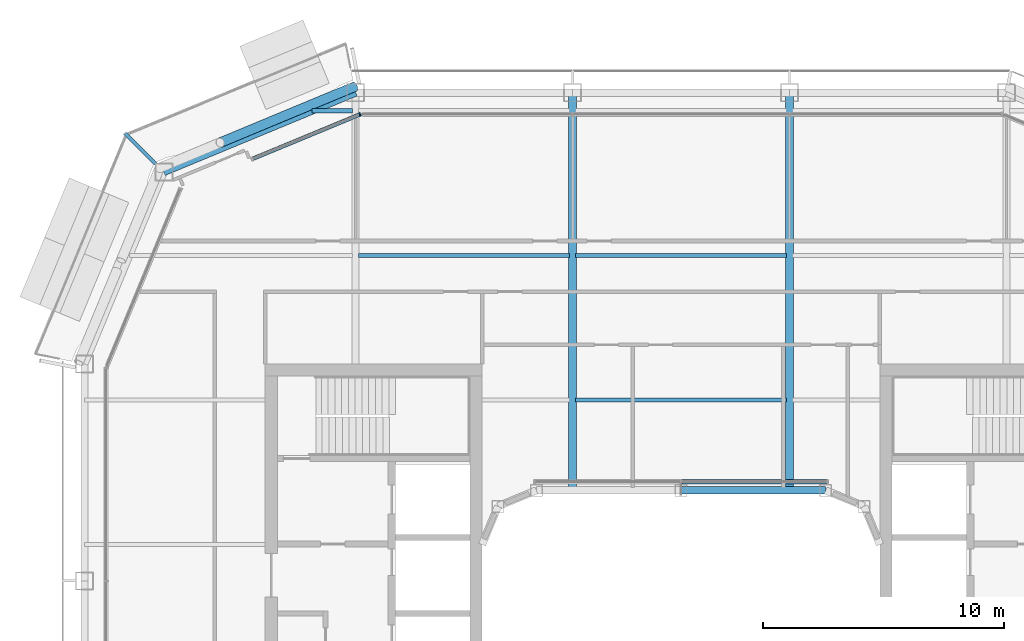
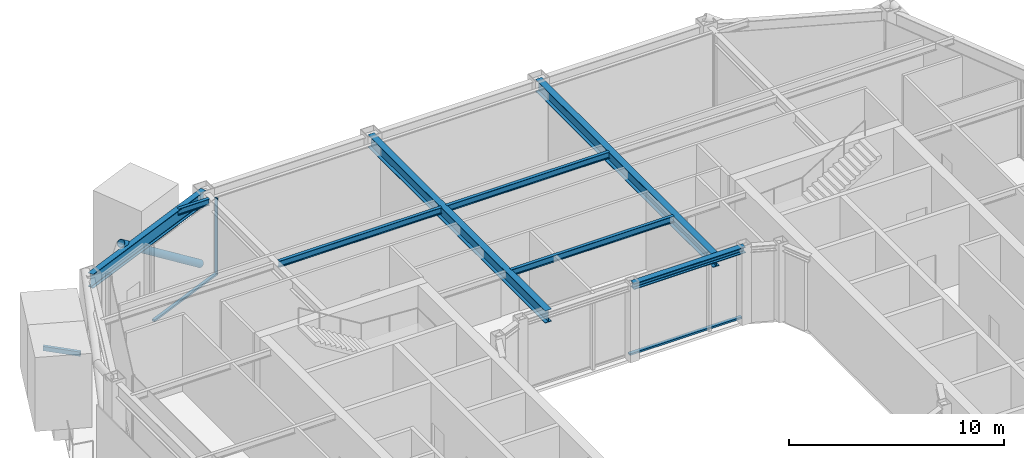
# One storey, part 7 of 21: 9 beams, 4 members, 2 elements without a shape of their own.
"""IFC4 building model written with IfcOpenShell, lengths in metres."""

from ifc_helpers import new_model, si_unit, direction, frame, origin, origin_2d, place, context, subcontext, project, spatial, rectangle, hollow_rectangle, hollow_circle, i_section, extrude, material, layer, layer_set, material_profile, profile_set, type_object, element, aggregate, save


model = new_model("IFC4")

# Units and contexts
model_context = context("Model", 3, precision=1e-05, world=origin(), true_north=direction((0.0, 1.0)))
body_context = subcontext(model_context, "Body", "Model", "MODEL_VIEW")
ifc_project = project(units=[si_unit("LENGTHUNIT", "METRE"), si_unit("AREAUNIT", "SQUARE_METRE"), si_unit("VOLUMEUNIT", "CUBIC_METRE"), si_unit("PLANEANGLEUNIT", "RADIAN"), si_unit("MASSUNIT", "GRAM", prefix="KILO")], contexts=[model_context])

# Site, building, storey
site_placement = place(None, origin())
site = spatial("IfcSite", under=ifc_project, at=site_placement, CompositionType="ELEMENT")
building_placement = place(site_placement, origin())
building = spatial("IfcBuilding", under=site, at=building_placement, Name="Siwar Civic Tower", CompositionType="ELEMENT")
storey_placement = place(building_placement, frame((0.0, 0.0, 294.199951171875)))
storey = spatial("IfcBuildingStorey", under=building, at=storey_placement, Name="L63", CompositionType="ELEMENT", Elevation=294.199951171875)

# Beam
ifc_material_1 = material(Name="Steel S355", Category="steel")
ifc_material_profile_1 = material_profile(ifc_material_1, hollow_rectangle(XDim=0.14990234375, YDim=0.25, WallThickness=0.010009765625, at=origin_2d()), Name="RHS250x150x10")
ifc_profile_set_1 = profile_set([ifc_material_profile_1], Name="Steel S355")
beam_type_1 = type_object("IfcBeamType", Name="ENV-BALCONY ARM", PredefinedType="BEAM", material=ifc_profile_set_1)
beam_1_placement = place(storey_placement, frame((-21.794677734375, 21.794677734375, -0.27490234375), z_axis=(-0.707106781187, 0.707106781187, 0.0), x_axis=(-0.707106781187, -0.707106781187, 0.0)))
element("IfcBeam", 1, at=beam_1_placement, inside=storey, type_object=beam_type_1, Name="Balcony cantilever beam NW 2", PredefinedType="BEAM", context=body_context, shape_type="SweptSolid", body=[
    extrude(hollow_rectangle(XDim=0.14990234375, YDim=0.25, WallThickness=0.010009765625, at=origin_2d()), origin(), (0.0, 0.0, 1.0), 1.792724609375),
])

# Curtain wall, members
ifc_material_2 = material(Name="Aluminium clad insulated panel", Category="aluminium")
ifc_layer_1 = layer(ifc_material_2, 0.159912109375)
ifc_layer_set_1 = layer_set([ifc_layer_1], Name="Aluminium clad insulated panel")
curtain_wall_type_1 = type_object("IfcCurtainWallType", Name="ENV-CW-DX", PredefinedType="NOTDEFINED", material=ifc_layer_set_1)
curtain_wall_1_placement = place(storey_placement, origin())
curtain_wall_1 = element("IfcCurtainWall", 2, at=curtain_wall_1_placement, inside=storey, type_object=curtain_wall_type_1, Name="Curtain wall D NW1", PredefinedType="NOTDEFINED")
ifc_material_3 = material(Name="Aluminium 6063-T6", Category="aluminium")
ifc_material_profile_2 = material_profile(ifc_material_3, rectangle(XDim=0.159912109375, YDim=0.06005859375, at=origin_2d()), Name="AL 160x60")
ifc_profile_set_2 = profile_set([ifc_material_profile_2], Name="Aluminium 6063-T6")
member_type_1 = type_object("IfcMemberType", Name="ENV-MULLION-D", PredefinedType="MULLION", material=ifc_profile_set_2)
member_1_placement = place(storey_placement, frame((-13.321044921875, 23.85009765625, 0.0), z_axis=(0.0, 0.0, 1.0), x_axis=(0.382683432365, -0.923879532511, 0.0)))
member_1 = element("IfcMember", 3, at=member_1_placement, type_object=member_type_1, Name="Mullion D NW1 1", PredefinedType="MULLION", context=body_context, shape_type="SweptSolid", body=[
    extrude(rectangle(XDim=0.159912109375, YDim=0.06005859375, at=origin_2d()), origin(), (0.0, 0.0, 1.0), 4.35009765625),
])
ifc_material_4 = material(Name="Aluminium 6063-T6", Category="aluminium")
ifc_material_profile_3 = material_profile(ifc_material_4, rectangle(XDim=0.159912109375, YDim=0.10009765625, at=origin_2d()), Name="AL 160x100")
ifc_profile_set_3 = profile_set([ifc_material_profile_3], Name="Aluminium 6063-T6")
member_type_2 = type_object("IfcMemberType", Name="ENV-TRANSOM-D", PredefinedType="USERDEFINED", material=ifc_profile_set_3)
member_2_placement = place(storey_placement, frame((-13.3486328125, 23.838623046875, 0.050048828125), z_axis=(-0.923877601363, -0.382688094537, 0.0), x_axis=(0.382688094537, -0.923877601363, 0.0)))
member_2 = element("IfcMember", 4, at=member_2_placement, type_object=member_type_2, Name="Transom D NW1 1", ObjectType="TRANSOM", PredefinedType="USERDEFINED", context=body_context, shape_type="SweptSolid", body=[
    extrude(rectangle(XDim=0.159912109375, YDim=0.10009765625, at=origin_2d()), origin(), (0.0, 0.0, 1.0), 4.787353515625),
])
aggregate(curtain_wall_1, [member_1, member_2])

# Curtain wall, member
ifc_material_5 = material(Name="Aluminium and glass", Category="aluminium")
ifc_layer_2 = layer(ifc_material_5, 0.179931640625)
ifc_layer_set_2 = layer_set([ifc_layer_2], Name="Aluminium and glass")
curtain_wall_type_2 = type_object("IfcCurtainWallType", Name="ENV-CW-W", PredefinedType="NOTDEFINED", material=ifc_layer_set_2)
curtain_wall_2_placement = place(storey_placement, origin())
curtain_wall_2 = element("IfcCurtainWall", 5, at=curtain_wall_2_placement, inside=storey, type_object=curtain_wall_type_2, Name="Curtain wall W WN", PredefinedType="NOTDEFINED")
ifc_material_6 = material(Name="Aluminium 6063-T6", Category="aluminium")
ifc_material_profile_4 = material_profile(ifc_material_6, rectangle(XDim=0.179931640625, YDim=0.10009765625, at=origin_2d()), Name="AL 180x100")
ifc_profile_set_4 = profile_set([ifc_material_profile_4], Name="Aluminium 6063-T6")
member_type_3 = type_object("IfcMemberType", Name="ENV-TRANSOM-W", PredefinedType="USERDEFINED", material=ifc_profile_set_4)
member_3_placement = place(storey_placement, frame((6.04150390625, 8.610107421875, 0.050048828125), z_axis=(-1.0, 0.0, 0.0), x_axis=(0.0, -1.0, 0.0)))
member_3 = element("IfcMember", 6, at=member_3_placement, type_object=member_type_3, Name="Transom W WN 1", ObjectType="TRANSOM", PredefinedType="USERDEFINED", context=body_context, shape_type="SweptSolid", body=[
    extrude(rectangle(XDim=0.179931640625, YDim=0.10009765625, at=origin_2d()), origin(), (0.0, 0.0, 1.0), 6.011474609375),
])
aggregate(curtain_wall_2, [member_3])

# Member
ifc_material_7 = material(Name="Steel S355", Category="steel")
ifc_material_profile_5 = material_profile(ifc_material_7, hollow_circle(Radius=0.203125, WallThickness=0.01611328125, at=origin_2d()), Name="CHS406.4x16")
ifc_profile_set_5 = profile_set([ifc_material_profile_5], Name="Steel S355")
member_type_4 = type_object("IfcMemberType", Name="STR-BR-CHS406.4x16", PredefinedType="BRACE", material=ifc_profile_set_5)
member_4_placement = place(storey_placement, frame((-13.548828125, 24.9951171875, 0.0), z_axis=(-0.739973158344, -0.307903068035, 0.598026275029), x_axis=(0.384169803352, -0.923262455747, 0.0)))
element("IfcMember", 7, at=member_4_placement, inside=storey, type_object=member_type_4, Name="L63/brc/DNW1-2-0-0", PredefinedType="BRACE", context=body_context, shape_type="SweptSolid", body=[
    extrude(hollow_circle(Radius=0.203125, WallThickness=0.01611328125, at=origin_2d()), origin(), (0.0, 0.0, 1.0), 7.524658203125),
])

# Beams
ifc_material_8 = material(Name="Steel S355", Category="steel")
ifc_material_profile_6 = material_profile(ifc_material_8, i_section(OverallWidth=0.169921875, OverallDepth=0.360107421875, WebThickness=0.008056640625, FlangeThickness=0.0126953125, FilletRadius=0.01806640625, at=origin_2d()), Name="IPE360")
ifc_profile_set_6 = profile_set([ifc_material_profile_6], Name="Steel S355")
beam_type_2 = type_object("IfcBeamType", Name="STR-FB-IPE360", PredefinedType="JOIST", material=ifc_profile_set_6)
for number, where, z_axis, x_axis, name in (
    (8, (-4.3701171875, 12.0, 4.170166015625), (1.0, 0.0, 0.0), (0.0, 1.0, 0.0), "L63/bm/F024"),
    (9, (-13.3701171875, 18.0, 4.170166015625), (1.0, 0.0, 0.0), (0.0, 1.0, 0.0), "L63/bm/F028"),
    (10, (-4.3701171875, 18.0, 4.170166015625), (1.0, 0.0, 0.0), (0.0, 1.0, 0.0), "L63/bm/F029"),
):
    element("IfcBeam", number, at=place(storey_placement, frame(where, z_axis=z_axis, x_axis=x_axis)), inside=storey, type_object=beam_type_2, Name=name, PredefinedType="JOIST", context=body_context, shape_type="SweptSolid", body=[
        extrude(i_section(OverallWidth=0.169921875, OverallDepth=0.360107421875, WebThickness=0.008056640625, FlangeThickness=0.0126953125, FilletRadius=0.01806640625, at=origin_2d()), origin(), (0.0, 0.0, 1.0), 8.740234375),
    ])
beam_2_placement = place(storey_placement, frame((-15.310546875, 24.0, 4.170166015625), z_axis=(1.0, 0.0, 0.0), x_axis=(0.0, 1.0, 0.0)))
element("IfcBeam", 11, at=beam_2_placement, inside=storey, type_object=beam_type_2, Name="L63/bm/F032", PredefinedType="JOIST", context=body_context, shape_type="SweptSolid", body=[
    extrude(i_section(OverallWidth=0.169921875, OverallDepth=0.360107421875, WebThickness=0.008056640625, FlangeThickness=0.0126953125, FilletRadius=0.01806640625, at=origin_2d()), origin(), (0.0, 0.0, 1.0), 1.6806640625),
])
ifc_material_9 = material(Name="Steel S355", Category="steel")
ifc_material_profile_7 = material_profile(ifc_material_9, i_section(OverallWidth=0.340087890625, OverallDepth=0.699951171875, WebThickness=0.013916015625, FlangeThickness=0.030029296875, at=origin_2d()), Name="PG700x340x14x30")
ifc_profile_set_7 = profile_set([ifc_material_profile_7], Name="Steel S355")
beam_type_3 = type_object("IfcBeamType", Name="STR-PG-PG700x340x14x30", PredefinedType="BEAM", material=ifc_profile_set_7)
for number, where, z_axis, x_axis, name in (
    (12, (-4.5, 8.25, 4.0), (0.0, 1.0, 0.0), (-1.0, 0.0, 0.0), "L63/bm/G04"),
    (13, (4.5, 8.25, 4.0), (0.0, 1.0, 0.0), (-1.0, 0.0, 0.0), "L63/bm/G06"),
):
    element("IfcBeam", number, at=place(storey_placement, frame(where, z_axis=z_axis, x_axis=x_axis)), inside=storey, type_object=beam_type_3, Name=name, PredefinedType="BEAM", context=body_context, shape_type="SweptSolid", body=[
        extrude(i_section(OverallWidth=0.340087890625, OverallDepth=0.699951171875, WebThickness=0.013916015625, FlangeThickness=0.030029296875, at=origin_2d()), origin(), (0.0, 0.0, 1.0), 16.5),
    ])
ifc_material_10 = material(Name="Steel S355", Category="steel")
ifc_material_profile_8 = material_profile(ifc_material_10, i_section(OverallWidth=0.31005859375, OverallDepth=0.340087890625, WebThickness=0.02099609375, FlangeThickness=0.0390625, FilletRadius=0.027099609375, at=origin_2d()), Name="HEM300")
ifc_profile_set_8 = profile_set([ifc_material_profile_8], Name="Steel S355")
beam_type_4 = type_object("IfcBeamType", Name="STR-RB-HEM300", PredefinedType="BEAM", material=ifc_profile_set_8)
beam_3_placement = place(storey_placement, frame((0.0, 8.25, 4.179931640625), z_axis=(1.0, 0.0, 0.0), x_axis=(0.0, 1.0, 0.0)))
element("IfcBeam", 14, at=beam_3_placement, inside=storey, type_object=beam_type_4, Name="L63/bm/RN2", PredefinedType="BEAM", context=body_context, shape_type="SweptSolid", body=[
    extrude(i_section(OverallWidth=0.31005859375, OverallDepth=0.340087890625, WebThickness=0.02099609375, FlangeThickness=0.0390625, FilletRadius=0.027099609375, at=origin_2d()), origin(), (0.0, 0.0, 1.0), 6.0),
])
ifc_material_11 = material(Name="Steel S355", Category="steel")
ifc_material_profile_9 = material_profile(ifc_material_11, i_section(OverallWidth=0.300048828125, OverallDepth=0.800048828125, WebThickness=0.017578125, FlangeThickness=0.032958984375, FilletRadius=0.030029296875, at=origin_2d()), Name="HEB800")
ifc_profile_set_9 = profile_set([ifc_material_profile_9], Name="Steel S355")
beam_type_5 = type_object("IfcBeamType", Name="STR-SB-HEB800", PredefinedType="BEAM", material=ifc_profile_set_9)
beam_4_placement = place(storey_placement, frame((-13.5, 24.75, 3.949951171875), z_axis=(-0.923872720536, -0.382699877515, 0.0), x_axis=(0.382699877515, -0.923872720536, 0.0)))
element("IfcBeam", 15, at=beam_4_placement, inside=storey, type_object=beam_type_5, Name="L63/bm/SNW1-0", PredefinedType="BEAM", context=body_context, shape_type="SweptSolid", body=[
    extrude(i_section(OverallWidth=0.300048828125, OverallDepth=0.800048828125, WebThickness=0.017578125, FlangeThickness=0.032958984375, FilletRadius=0.030029296875, at=origin_2d()), origin(), (0.0, 0.0, 1.0), 8.6103515625),
])

save(model, "model.ifc")
